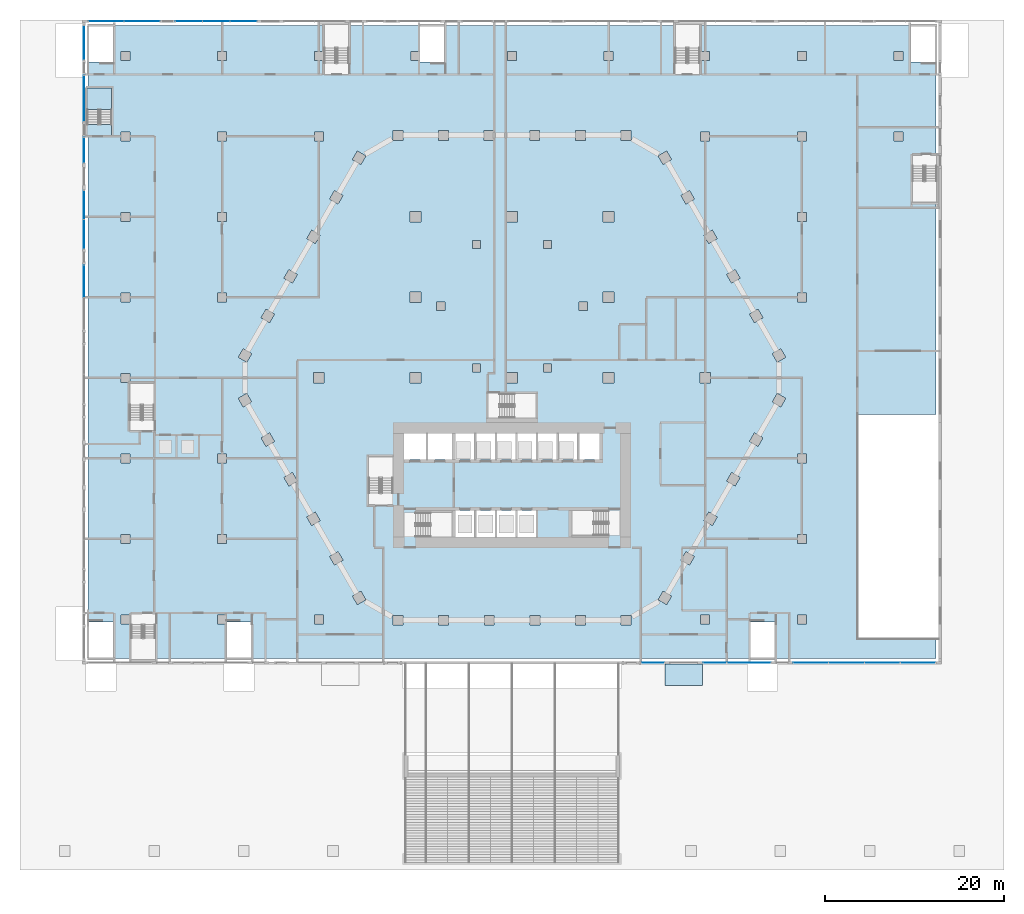
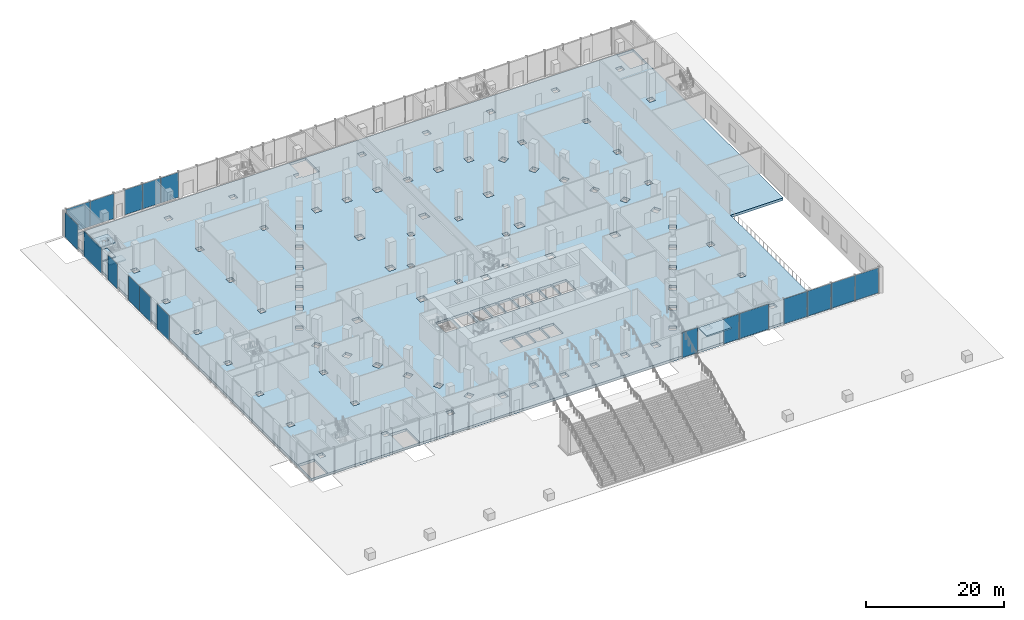
# One storey, part 18 of 57: 19 plates, 4 slabs, 12 elements without a shape of their own.
"""IFC4 building model written with IfcOpenShell, lengths in metres."""

from ifc_helpers import new_model, si_unit, direction, frame, origin, origin_2d, place, context, subcontext, project, spatial, polyline, rectangle, outline, extrude, material, layer, layer_set, type_object, element, aggregate, save


model = new_model("IFC4")

# Units and contexts
model_context = context("Model", 3, precision=1e-05, world=origin(), true_north=direction((0.0, 1.0)))
body_context = subcontext(model_context, "Body", "Model", "MODEL_VIEW")
ifc_project = project(units=[si_unit("LENGTHUNIT", "METRE"), si_unit("AREAUNIT", "SQUARE_METRE"), si_unit("VOLUMEUNIT", "CUBIC_METRE"), si_unit("PLANEANGLEUNIT", "RADIAN"), si_unit("MASSUNIT", "GRAM", prefix="KILO")], contexts=[model_context])

# Site, building, storey
site_placement = place(None, origin())
site = spatial("IfcSite", under=ifc_project, at=site_placement, CompositionType="ELEMENT")
building_placement = place(site_placement, origin())
building = spatial("IfcBuilding", under=site, at=building_placement, Name="Beryl Residences", CompositionType="ELEMENT")
storey_placement = place(building_placement, origin())
storey = spatial("IfcBuildingStorey", under=building, at=storey_placement, Name="L00", CompositionType="ELEMENT", Elevation=0.0)

# Plate
ifc_material_1 = material(Name="Aluminium composite and steel S355", Category="steel")
ifc_layer_1 = layer(ifc_material_1, 0.25)
ifc_layer_set_1 = layer_set([ifc_layer_1], Name="CP1 entrance canopy 250 mm")
plate_type_1 = type_object("IfcPlateType", Name="CP1 entrance canopy 250 mm", PredefinedType="SHEET", material=ifc_layer_set_1)
plate_1_placement = place(storey_placement, frame((19.199951171875, -33.199951171875, 4.300048828125), z_axis=(0.0, 0.0, 1.0), x_axis=(0.0, -1.0, 0.0)))
element("IfcPlate", 1, at=plate_1_placement, inside=storey, type_object=plate_type_1, Name="CP1 entrance canopy L00 S", PredefinedType="SHEET", context=body_context, shape_type="SweptSolid", body=[
    extrude(rectangle(XDim=2.39990234375, YDim=4.199951171875, at=origin_2d()), origin(), (0.0, 0.0, 1.0), 0.25),
])

# Curtain wall, plate
ifc_material_2 = material(Name="Aluminium and clear glass", Category="aluminium")
curtain_wall_type_1 = type_object("IfcCurtainWallType", Name="CW1 shopfront glazed wall", PredefinedType="NOTDEFINED", material=ifc_material_2)
curtain_wall_1_placement = place(storey_placement, origin())
curtain_wall_1 = element("IfcCurtainWall", 2, at=curtain_wall_1_placement, inside=storey, type_object=curtain_wall_type_1, Name="CW1 L00 S", PredefinedType="NOTDEFINED")
ifc_material_3 = material(Name="Clear laminated glass", Category="glass")
ifc_layer_2 = layer(ifc_material_3, 0.028076171875)
ifc_layer_set_2 = layer_set([ifc_layer_2], Name="CW1-P glazing panel 28 mm")
plate_type_2 = type_object("IfcPlateType", Name="CW1-P glazing panel 28 mm", PredefinedType="CURTAIN_PANEL", material=ifc_layer_set_2)
plate_2_placement = place(storey_placement, frame((26.5, -31.85009765625, 0.06005859375), z_axis=(0.0, 0.0, 1.0), x_axis=(1.0, 0.0, 0.0)))
plate_2 = element("IfcPlate", 3, at=plate_2_placement, type_object=plate_type_2, Name="CW1 panel 1.1", PredefinedType="CURTAIN_PANEL", context=body_context, shape_type="SweptSolid", body=[
    extrude(rectangle(XDim=4.8798828125, YDim=0.028076171875, at=origin_2d()), origin(), (0.0, 0.0, 1.0), 4.429931640625),
])
aggregate(curtain_wall_1, [plate_2])

# Curtain wall, plates
curtain_wall_2_placement = place(storey_placement, origin())
curtain_wall_2 = element("IfcCurtainWall", 4, at=curtain_wall_2_placement, inside=storey, type_object=curtain_wall_type_1, Name="CW1 L00 S", PredefinedType="NOTDEFINED")
plate_3_placement = place(storey_placement, frame((33.4150390625, -31.85009765625, 0.06005859375), z_axis=(0.0, 0.0, 1.0), x_axis=(1.0, 0.0, 0.0)))
plate_3 = element("IfcPlate", 5, at=plate_3_placement, type_object=plate_type_2, Name="CW1 panel 1.1", PredefinedType="CURTAIN_PANEL", context=body_context, shape_type="SweptSolid", body=[
    extrude(rectangle(XDim=3.909912109375, YDim=0.028076171875, at=origin_2d()), origin(), (0.0, 0.0, 1.0), 4.429931640625),
])
plate_4_placement = place(storey_placement, frame((37.39990234375, -31.85009765625, 0.06005859375), z_axis=(0.0, 0.0, 1.0), x_axis=(1.0, 0.0, 0.0)))
plate_4 = element("IfcPlate", 6, at=plate_4_placement, type_object=plate_type_2, Name="CW1 panel 2.1", PredefinedType="CURTAIN_PANEL", context=body_context, shape_type="SweptSolid", body=[
    extrude(rectangle(XDim=3.93994140625, YDim=0.028076171875, at=origin_2d()), origin(), (0.0, 0.0, 1.0), 4.429931640625),
])
plate_5_placement = place(storey_placement, frame((41.39990234375, -31.85009765625, 0.06005859375), z_axis=(0.0, 0.0, 1.0), x_axis=(1.0, 0.0, 0.0)))
plate_5 = element("IfcPlate", 7, at=plate_5_placement, type_object=plate_type_2, Name="CW1 panel 3.1", PredefinedType="CURTAIN_PANEL", context=body_context, shape_type="SweptSolid", body=[
    extrude(rectangle(XDim=3.93994140625, YDim=0.028076171875, at=origin_2d()), origin(), (0.0, 0.0, 1.0), 4.429931640625),
])
plate_6_placement = place(storey_placement, frame((45.385009765625, -31.85009765625, 0.06005859375), z_axis=(0.0, 0.0, 1.0), x_axis=(1.0, 0.0, 0.0)))
plate_6 = element("IfcPlate", 8, at=plate_6_placement, type_object=plate_type_2, Name="CW1 panel 4.1", PredefinedType="CURTAIN_PANEL", context=body_context, shape_type="SweptSolid", body=[
    extrude(rectangle(XDim=3.909912109375, YDim=0.028076171875, at=origin_2d()), origin(), (0.0, 0.0, 1.0), 4.429931640625),
])
aggregate(curtain_wall_2, [plate_3, plate_4, plate_5, plate_6])

curtain_wall_3_placement = place(storey_placement, origin())
curtain_wall_3 = element("IfcCurtainWall", 9, at=curtain_wall_3_placement, inside=storey, type_object=curtain_wall_type_1, Name="CW1 L00 N", PredefinedType="NOTDEFINED")
plate_7_placement = place(storey_placement, frame((-30.035888671875, 39.85009765625, 0.06005859375), z_axis=(0.0, 0.0, 1.0), x_axis=(-1.0, 0.0, 0.0)))
plate_7 = element("IfcPlate", 10, at=plate_7_placement, type_object=plate_type_2, Name="CW1 panel 1.1", PredefinedType="CURTAIN_PANEL", context=body_context, shape_type="SweptSolid", body=[
    extrude(rectangle(XDim=2.95166015625, YDim=0.028076171875, at=origin_2d()), origin(), (0.0, 0.0, 1.0), 4.429931640625),
])
plate_8_placement = place(storey_placement, frame((-33.0625, 39.85009765625, 0.06005859375), z_axis=(0.0, 0.0, 1.0), x_axis=(-1.0, 0.0, 0.0)))
plate_8 = element("IfcPlate", 11, at=plate_8_placement, type_object=plate_type_2, Name="CW1 panel 2.1", PredefinedType="CURTAIN_PANEL", context=body_context, shape_type="SweptSolid", body=[
    extrude(rectangle(XDim=2.981689453125, YDim=0.028076171875, at=origin_2d()), origin(), (0.0, 0.0, 1.0), 4.429931640625),
])
plate_9_placement = place(storey_placement, frame((-36.089111328125, 39.85009765625, 0.06005859375), z_axis=(0.0, 0.0, 1.0), x_axis=(-1.0, 0.0, 0.0)))
plate_9 = element("IfcPlate", 12, at=plate_9_placement, type_object=plate_type_2, Name="CW1 panel 3.1", PredefinedType="CURTAIN_PANEL", context=body_context, shape_type="SweptSolid", body=[
    extrude(rectangle(XDim=2.95166015625, YDim=0.028076171875, at=origin_2d()), origin(), (0.0, 0.0, 1.0), 4.429931640625),
])
aggregate(curtain_wall_3, [plate_7, plate_8, plate_9])

curtain_wall_4_placement = place(storey_placement, origin())
curtain_wall_4 = element("IfcCurtainWall", 13, at=curtain_wall_4_placement, inside=storey, type_object=curtain_wall_type_1, Name="CW1 L00 N", PredefinedType="NOTDEFINED")
plate_10_placement = place(storey_placement, frame((-41.358642578125, 39.85009765625, 0.06005859375), z_axis=(0.0, 0.0, 1.0), x_axis=(-1.0, 0.0, 0.0)))
plate_10 = element("IfcPlate", 14, at=plate_10_placement, type_object=plate_type_2, Name="CW1 panel 1.1", PredefinedType="CURTAIN_PANEL", context=body_context, shape_type="SweptSolid", body=[
    extrude(rectangle(XDim=3.947509765625, YDim=0.028076171875, at=origin_2d()), origin(), (0.0, 0.0, 1.0), 4.429931640625),
])
plate_11_placement = place(storey_placement, frame((-45.3662109375, 39.85009765625, 0.06005859375), z_axis=(0.0, 0.0, 1.0), x_axis=(-1.0, 0.0, 0.0)))
plate_11 = element("IfcPlate", 15, at=plate_11_placement, type_object=plate_type_2, Name="CW1 panel 2.1", PredefinedType="CURTAIN_PANEL", context=body_context, shape_type="SweptSolid", body=[
    extrude(rectangle(XDim=3.947509765625, YDim=0.028076171875, at=origin_2d()), origin(), (0.0, 0.0, 1.0), 4.429931640625),
])
aggregate(curtain_wall_4, [plate_10, plate_11])

# Curtain wall, plate
curtain_wall_5_placement = place(storey_placement, origin())
curtain_wall_5 = element("IfcCurtainWall", 16, at=curtain_wall_5_placement, inside=storey, type_object=curtain_wall_type_1, Name="CW1 L00 W", PredefinedType="NOTDEFINED")
plate_12_placement = place(storey_placement, frame((-47.85009765625, 37.449951171875, 0.06005859375), z_axis=(0.0, 0.0, 1.0), x_axis=(0.0, -1.0, 0.0)))
plate_12 = element("IfcPlate", 17, at=plate_12_placement, type_object=plate_type_2, Name="CW1 panel 1.1", PredefinedType="CURTAIN_PANEL", context=body_context, shape_type="SweptSolid", body=[
    extrude(rectangle(XDim=3.780029296875, YDim=0.028076171875, at=origin_2d()), origin(), (0.0, 0.0, 1.0), 4.429931640625),
])
aggregate(curtain_wall_5, [plate_12])

curtain_wall_6_placement = place(storey_placement, origin())
curtain_wall_6 = element("IfcCurtainWall", 18, at=curtain_wall_6_placement, inside=storey, type_object=curtain_wall_type_1, Name="CW1 L00 W", PredefinedType="NOTDEFINED")
plate_13_placement = place(storey_placement, frame((-47.85009765625, 31.199951171875, 0.06005859375), z_axis=(0.0, 0.0, 1.0), x_axis=(0.0, -1.0, 0.0)))
plate_13 = element("IfcPlate", 19, at=plate_13_placement, type_object=plate_type_2, Name="CW1 panel 1.1", PredefinedType="CURTAIN_PANEL", context=body_context, shape_type="SweptSolid", body=[
    extrude(rectangle(XDim=5.080078125, YDim=0.028076171875, at=origin_2d()), origin(), (0.0, 0.0, 1.0), 4.429931640625),
])
aggregate(curtain_wall_6, [plate_13])

curtain_wall_7_placement = place(storey_placement, origin())
curtain_wall_7 = element("IfcCurtainWall", 20, at=curtain_wall_7_placement, inside=storey, type_object=curtain_wall_type_1, Name="CW1 L00 W", PredefinedType="NOTDEFINED")
plate_14_placement = place(storey_placement, frame((-47.85009765625, 25.449951171875, 0.06005859375), z_axis=(0.0, 0.0, 1.0), x_axis=(0.0, -1.0, 0.0)))
plate_14 = element("IfcPlate", 21, at=plate_14_placement, type_object=plate_type_2, Name="CW1 panel 1.1", PredefinedType="CURTAIN_PANEL", context=body_context, shape_type="SweptSolid", body=[
    extrude(rectangle(XDim=2.780029296875, YDim=0.028076171875, at=origin_2d()), origin(), (0.0, 0.0, 1.0), 4.429931640625),
])
aggregate(curtain_wall_7, [plate_14])

# Curtain wall, plates
curtain_wall_8_placement = place(storey_placement, origin())
curtain_wall_8 = element("IfcCurtainWall", 22, at=curtain_wall_8_placement, inside=storey, type_object=curtain_wall_type_1, Name="CW1 L00 W", PredefinedType="NOTDEFINED")
plate_15_placement = place(storey_placement, frame((-47.85009765625, 19.322509765625, 0.06005859375), z_axis=(0.0, 0.0, 1.0), x_axis=(0.0, -1.0, 0.0)))
plate_15 = element("IfcPlate", 23, at=plate_15_placement, type_object=plate_type_2, Name="CW1 panel 1.1", PredefinedType="CURTAIN_PANEL", context=body_context, shape_type="SweptSolid", body=[
    extrude(rectangle(XDim=3.235107421875, YDim=0.028076171875, at=origin_2d()), origin(), (0.0, 0.0, 1.0), 4.429931640625),
])
plate_16_placement = place(storey_placement, frame((-47.85009765625, 16.027587890625, 0.06005859375), z_axis=(0.0, 0.0, 1.0), x_axis=(0.0, -1.0, 0.0)))
plate_16 = element("IfcPlate", 24, at=plate_16_placement, type_object=plate_type_2, Name="CW1 panel 2.1", PredefinedType="CURTAIN_PANEL", context=body_context, shape_type="SweptSolid", body=[
    extrude(rectangle(XDim=3.235107421875, YDim=0.028076171875, at=origin_2d()), origin(), (0.0, 0.0, 1.0), 4.429931640625),
])
aggregate(curtain_wall_8, [plate_15, plate_16])

# Curtain wall, plate
curtain_wall_9_placement = place(storey_placement, origin())
curtain_wall_9 = element("IfcCurtainWall", 25, at=curtain_wall_9_placement, inside=storey, type_object=curtain_wall_type_1, Name="CW1 L00 W", PredefinedType="NOTDEFINED")
plate_17_placement = place(storey_placement, frame((-47.85009765625, 10.81005859375, 0.06005859375), z_axis=(0.0, 0.0, 1.0), x_axis=(0.0, -1.0, 0.0)))
plate_17 = element("IfcPlate", 26, at=plate_17_placement, type_object=plate_type_2, Name="CW1 panel 1.1", PredefinedType="CURTAIN_PANEL", context=body_context, shape_type="SweptSolid", body=[
    extrude(rectangle(XDim=3.56005859375, YDim=0.028076171875, at=origin_2d()), origin(), (0.0, 0.0, 1.0), 4.429931640625),
])
aggregate(curtain_wall_9, [plate_17])

ifc_material_4 = material(Name="Aluminium and clear glass", Category="aluminium")
curtain_wall_type_2 = type_object("IfcCurtainWallType", Name="CW5 lobby and retail return glazing glazed wall", PredefinedType="NOTDEFINED", material=ifc_material_4)
curtain_wall_10_placement = place(storey_placement, origin())
curtain_wall_10 = element("IfcCurtainWall", 27, at=curtain_wall_10_placement, inside=storey, type_object=curtain_wall_type_2, Name="CW5 L00 S", PredefinedType="NOTDEFINED")
ifc_material_5 = material(Name="Clear laminated glass", Category="glass")
ifc_layer_3 = layer(ifc_material_5, 0.028076171875)
ifc_layer_set_3 = layer_set([ifc_layer_3], Name="CW5-P glazing panel 28 mm")
plate_type_3 = type_object("IfcPlateType", Name="CW5-P glazing panel 28 mm", PredefinedType="CURTAIN_PANEL", material=ifc_layer_set_3)
plate_18_placement = place(storey_placement, frame((15.75, -31.85009765625, 0.06005859375), z_axis=(0.0, 0.0, 1.0), x_axis=(1.0, 0.0, 0.0)))
plate_18 = element("IfcPlate", 28, at=plate_18_placement, type_object=plate_type_3, Name="CW5 panel 1.1", PredefinedType="CURTAIN_PANEL", context=body_context, shape_type="SweptSolid", body=[
    extrude(rectangle(XDim=2.580078125, YDim=0.028076171875, at=origin_2d()), origin(), (0.0, 0.0, 1.0), 4.429931640625),
])
aggregate(curtain_wall_10, [plate_18])

curtain_wall_11_placement = place(storey_placement, origin())
curtain_wall_11 = element("IfcCurtainWall", 29, at=curtain_wall_11_placement, inside=storey, type_object=curtain_wall_type_2, Name="CW5 L00 S", PredefinedType="NOTDEFINED")
plate_19_placement = place(storey_placement, frame((22.64990234375, -31.85009765625, 0.06005859375), z_axis=(0.0, 0.0, 1.0), x_axis=(1.0, 0.0, 0.0)))
plate_19 = element("IfcPlate", 30, at=plate_19_placement, type_object=plate_type_3, Name="CW5 panel 1.1", PredefinedType="CURTAIN_PANEL", context=body_context, shape_type="SweptSolid", body=[
    extrude(rectangle(XDim=2.580078125, YDim=0.028076171875, at=origin_2d()), origin(), (0.0, 0.0, 1.0), 4.429931640625),
])
aggregate(curtain_wall_11, [plate_19])

# Slab
ifc_material_6 = material(Name="Concrete C40/50", Category="concrete")
ifc_layer_4 = layer(ifc_material_6, 0.449951171875)
ifc_layer_set_4 = layer_set([ifc_layer_4], Name="SL2 podium floor slab 450 mm C40/50")
slab_type_1 = type_object("IfcSlabType", Name="SL2 podium floor slab 450 mm C40/50", PredefinedType="FLOOR", material=ifc_layer_set_4)
slab_1_placement = place(storey_placement, frame((0.0, 0.0, -0.449951171875)))
element("IfcSlab", 31, at=slab_1_placement, inside=storey, type_object=slab_type_1, Name="L00 slab 1", PredefinedType="FLOOR", context=body_context, shape_type="SweptSolid", body=[
    extrude(outline(polyline([(47.39990234375, 39.39990234375), (47.39990234375, -4.10009765625), (38.60009765625, -4.10009765625), (38.60009765625, -29.199951171875), (47.39990234375, -29.199951171875), (47.39990234375, -31.39990234375), (-47.39990234375, -31.39990234375), (-47.39990234375, 39.39990234375), (47.39990234375, 39.39990234375)]), holes=[polyline([(44.550048828125, 39.300048828125), (44.550048828125, 35.300048828125), (47.300048828125, 35.300048828125), (47.300048828125, 39.300048828125), (44.550048828125, 39.300048828125)]), polyline([(43.699951171875, 27.5), (42.699951171875, 27.5), (42.699951171875, 26.5), (43.699951171875, 26.5), (43.699951171875, 27.5)]), polyline([(42.699951171875, 36.5), (42.699951171875, 35.5), (43.699951171875, 35.5), (43.699951171875, 36.5), (42.699951171875, 36.5)]), polyline([(32.89990234375, 36.5), (31.89990234375, 36.5), (31.89990234375, 35.5), (32.89990234375, 35.5), (32.89990234375, 36.5)]), polyline([(32.89990234375, 9.5), (31.89990234375, 9.5), (31.89990234375, 8.5), (32.89990234375, 8.5), (32.89990234375, 9.5)]), polyline([(32.89990234375, -8.5), (31.89990234375, -8.5), (31.89990234375, -9.5), (32.89990234375, -9.5), (32.89990234375, -8.5)]), polyline([(32.89990234375, -26.5), (31.89990234375, -26.5), (31.89990234375, -27.5), (32.89990234375, -27.5), (32.89990234375, -26.5)]), polyline([(31.89990234375, 26.5), (32.89990234375, 26.5), (32.89990234375, 27.5), (31.89990234375, 27.5), (31.89990234375, 26.5)]), polyline([(31.89990234375, 18.5), (31.89990234375, 17.5), (32.89990234375, 17.5), (32.89990234375, 18.5), (31.89990234375, 18.5)]), polyline([(31.89990234375, -17.5), (31.89990234375, -18.5), (32.89990234375, -18.5), (32.89990234375, -17.5), (31.89990234375, -17.5)]), polyline([(29.097900390625, -2.699951171875), (30.050048828125, -3.25), (30.60009765625, -2.298095703125), (29.64794921875, -1.748046875), (29.097900390625, -2.699951171875)]), polyline([(29.096923828125, 2.700927734375), (29.64697265625, 1.7490234375), (30.59912109375, 2.299072265625), (30.049072265625, 3.2509765625), (29.096923828125, 2.700927734375)]), polyline([(26.64990234375, -27.300048828125), (26.64990234375, -31.300048828125), (29.39990234375, -31.300048828125), (29.39990234375, -27.300048828125), (26.64990234375, -27.300048828125)]), polyline([(27.096923828125, -6.16796875), (26.547119140625, -7.1201171875), (27.4990234375, -7.669921875), (28.049072265625, -6.718017578125), (27.096923828125, -6.16796875)]), polyline([(28.048095703125, 6.719970703125), (27.498046875, 7.672119140625), (26.5458984375, 7.1220703125), (27.095947265625, 6.169921875), (28.048095703125, 6.719970703125)]), polyline([(23.9951171875, -11.5400390625), (24.947021484375, -12.090087890625), (25.4970703125, -11.137939453125), (24.544921875, -10.587890625), (23.9951171875, -11.5400390625)]), polyline([(23.993896484375, 11.5419921875), (24.5439453125, 10.590087890625), (25.49609375, 11.139892578125), (24.946044921875, 12.092041015625), (23.993896484375, 11.5419921875)]), polyline([(22.39501953125, -16.510009765625), (22.945068359375, -15.55810546875), (21.992919921875, -15.008056640625), (21.443115234375, -15.9599609375), (22.39501953125, -16.510009765625)]), polyline([(22.944091796875, 15.56005859375), (22.39404296875, 16.511962890625), (21.44189453125, 15.9619140625), (21.991943359375, 15.010009765625), (22.944091796875, 15.56005859375)]), polyline([(22.199951171875, 0.60009765625), (21.0, 0.60009765625), (21.0, -0.60009765625), (22.199951171875, -0.60009765625), (22.199951171875, 0.60009765625)]), polyline([(22.10009765625, 36.5), (21.10009765625, 36.5), (21.10009765625, 35.5), (22.10009765625, 35.5), (22.10009765625, 36.5)]), polyline([(22.10009765625, 27.5), (21.10009765625, 27.5), (21.10009765625, 26.5), (22.10009765625, 26.5), (22.10009765625, 27.5)]), polyline([(21.10009765625, -26.5), (21.10009765625, -27.5), (22.10009765625, -27.5), (22.10009765625, -26.5), (21.10009765625, -26.5)]), polyline([(19.44091796875, -19.428955078125), (18.89111328125, -20.381103515625), (19.843017578125, -20.930908203125), (20.39306640625, -19.97900390625), (19.44091796875, -19.428955078125)]), polyline([(19.43994140625, 19.429931640625), (20.39208984375, 19.97998046875), (19.842041015625, 20.931884765625), (18.889892578125, 20.382080078125), (19.43994140625, 19.429931640625)]), polyline([(16.339111328125, -24.801025390625), (17.291015625, -25.35107421875), (17.841064453125, -24.39892578125), (16.888916015625, -23.84912109375), (16.339111328125, -24.801025390625)]), polyline([(16.887939453125, 23.85009765625), (17.840087890625, 24.39990234375), (17.2900390625, 25.35205078125), (16.337890625, 24.802001953125), (16.887939453125, 23.85009765625)]), polyline([(13.31103515625, -26.550048828125), (12.2109375, -26.550048828125), (12.2109375, -27.64990234375), (13.31103515625, -27.64990234375), (13.31103515625, -26.550048828125)]), polyline([(12.208984375, 26.550048828125), (13.30908203125, 26.550048828125), (13.30908203125, 27.64990234375), (12.208984375, 27.64990234375), (12.208984375, 26.550048828125)]), polyline([(10.199951171875, 18.60009765625), (10.199951171875, 17.39990234375), (11.39990234375, 17.39990234375), (11.39990234375, 18.60009765625), (10.199951171875, 18.60009765625)]), polyline([(10.199951171875, 9.60009765625), (10.199951171875, 8.39990234375), (11.39990234375, 8.39990234375), (11.39990234375, 9.60009765625), (10.199951171875, 9.60009765625)]), polyline([(10.199951171875, 0.60009765625), (10.199951171875, -0.60009765625), (11.39990234375, -0.60009765625), (11.39990234375, 0.60009765625), (10.199951171875, 0.60009765625)]), polyline([(11.300048828125, 36.5), (10.300048828125, 36.5), (10.300048828125, 35.5), (11.300048828125, 35.5), (11.300048828125, 36.5)]), polyline([(9.800048828125, -9.14990234375), (9.800048828125, -6.199951171875), (7.5, -6.199951171875), (7.5, -9.14990234375), (9.800048828125, -9.14990234375)]), polyline([(8.4169921875, 8.449951171875), (7.51708984375, 8.449951171875), (7.51708984375, 7.550048828125), (8.4169921875, 7.550048828125), (8.4169921875, 8.449951171875)]), polyline([(7.10693359375, -26.550048828125), (7.10693359375, -27.64990234375), (8.20703125, -27.64990234375), (8.20703125, -26.550048828125), (7.10693359375, -26.550048828125)]), polyline([(8.205078125, 26.550048828125), (8.205078125, 27.64990234375), (7.10498046875, 27.64990234375), (7.10498046875, 26.550048828125), (8.205078125, 26.550048828125)]), polyline([(7.300048828125, -6.199951171875), (5.199951171875, -6.199951171875), (5.199951171875, -9.14990234375), (7.300048828125, -9.14990234375), (7.300048828125, -6.199951171875)]), polyline([(5.0, -6.199951171875), (2.89990234375, -6.199951171875), (2.89990234375, -9.14990234375), (5.0, -9.14990234375), (5.0, -6.199951171875)]), polyline([(3.533935546875, 15.35009765625), (3.533935546875, 14.449951171875), (4.43408203125, 14.449951171875), (4.43408203125, 15.35009765625), (3.533935546875, 15.35009765625)]), polyline([(3.533935546875, 1.550048828125), (3.533935546875, 0.64990234375), (4.43408203125, 0.64990234375), (4.43408203125, 1.550048828125), (3.533935546875, 1.550048828125)]), polyline([(3.10302734375, -26.550048828125), (2.0029296875, -26.550048828125), (2.0029296875, -27.64990234375), (3.10302734375, -27.64990234375), (3.10302734375, -26.550048828125)]), polyline([(2.0009765625, 26.550048828125), (3.10107421875, 26.550048828125), (3.10107421875, 27.64990234375), (2.0009765625, 27.64990234375), (2.0009765625, 26.550048828125)]), polyline([(2.699951171875, -6.199951171875), (0.60009765625, -6.199951171875), (0.60009765625, -9.14990234375), (2.699951171875, -9.14990234375), (2.699951171875, -6.199951171875)]), polyline([(2.699951171875, -17.800048828125), (2.699951171875, -14.85009765625), (0.60009765625, -14.85009765625), (0.60009765625, -17.800048828125), (2.699951171875, -17.800048828125)]), polyline([(0.60009765625, 18.60009765625), (-0.60009765625, 18.60009765625), (-0.60009765625, 17.39990234375), (0.60009765625, 17.39990234375), (0.60009765625, 18.60009765625)]), polyline([(0.60009765625, 0.60009765625), (-0.60009765625, 0.60009765625), (-0.60009765625, -0.60009765625), (0.60009765625, -0.60009765625), (0.60009765625, 0.60009765625)]), polyline([(0.5, 36.5), (-0.5, 36.5), (-0.5, 35.5), (0.5, 35.5), (0.5, 36.5)]), polyline([(0.39990234375, -14.85009765625), (-1.699951171875, -14.85009765625), (-1.699951171875, -17.800048828125), (0.39990234375, -17.800048828125), (0.39990234375, -14.85009765625)]), polyline([(-1.699951171875, -6.199951171875), (-1.699951171875, -9.14990234375), (0.39990234375, -9.14990234375), (0.39990234375, -6.199951171875), (-1.699951171875, -6.199951171875)]), polyline([(-1.89990234375, -9.14990234375), (-1.89990234375, -6.199951171875), (-4.0, -6.199951171875), (-4.0, -9.14990234375), (-1.89990234375, -9.14990234375)]), polyline([(-1.89990234375, -14.85009765625), (-4.0, -14.85009765625), (-4.0, -17.800048828125), (-1.89990234375, -17.800048828125), (-1.89990234375, -14.85009765625)]), polyline([(-3.10107421875, -27.64990234375), (-2.0009765625, -27.64990234375), (-2.0009765625, -26.550048828125), (-3.10107421875, -26.550048828125), (-3.10107421875, -27.64990234375)]), polyline([(-3.10302734375, 26.550048828125), (-2.0029296875, 26.550048828125), (-2.0029296875, 27.64990234375), (-3.10302734375, 27.64990234375), (-3.10302734375, 26.550048828125)]), polyline([(-4.43408203125, 14.449951171875), (-3.533935546875, 14.449951171875), (-3.533935546875, 15.35009765625), (-4.43408203125, 15.35009765625), (-4.43408203125, 14.449951171875)]), polyline([(-4.43408203125, 0.64990234375), (-3.533935546875, 0.64990234375), (-3.533935546875, 1.550048828125), (-4.43408203125, 1.550048828125), (-4.43408203125, 0.64990234375)]), polyline([(-4.199951171875, -6.199951171875), (-6.300048828125, -6.199951171875), (-6.300048828125, -9.14990234375), (-4.199951171875, -9.14990234375), (-4.199951171875, -6.199951171875)]), polyline([(-6.300048828125, -17.800048828125), (-4.199951171875, -17.800048828125), (-4.199951171875, -14.85009765625), (-6.300048828125, -14.85009765625), (-6.300048828125, -17.800048828125)]), polyline([(-9.39990234375, -6.199951171875), (-9.39990234375, -9.14990234375), (-6.699951171875, -9.14990234375), (-6.699951171875, -6.199951171875), (-9.39990234375, -6.199951171875)]), polyline([(-8.205078125, -27.64990234375), (-7.10498046875, -27.64990234375), (-7.10498046875, -26.550048828125), (-8.205078125, -26.550048828125), (-8.205078125, -27.64990234375)]), polyline([(-7.10693359375, 26.550048828125), (-7.10693359375, 27.64990234375), (-8.20703125, 27.64990234375), (-8.20703125, 26.550048828125), (-7.10693359375, 26.550048828125)]), polyline([(-7.51708984375, 8.449951171875), (-8.4169921875, 8.449951171875), (-8.4169921875, 7.550048828125), (-7.51708984375, 7.550048828125), (-7.51708984375, 8.449951171875)]), polyline([(-7.550048828125, 35.300048828125), (-7.550048828125, 39.300048828125), (-10.300048828125, 39.300048828125), (-10.300048828125, 36.5), (-11.300048828125, 36.5), (-11.300048828125, 35.5), (-10.300048828125, 35.5), (-10.300048828125, 35.300048828125), (-7.550048828125, 35.300048828125)]), polyline([(-9.60009765625, -6.199951171875), (-12.10009765625, -6.199951171875), (-12.10009765625, -9.14990234375), (-9.60009765625, -9.14990234375), (-9.60009765625, -6.199951171875)]), polyline([(-10.199951171875, 0.60009765625), (-11.39990234375, 0.60009765625), (-11.39990234375, -0.60009765625), (-10.199951171875, -0.60009765625), (-10.199951171875, 0.60009765625)]), polyline([(-11.39990234375, 9.60009765625), (-11.39990234375, 8.39990234375), (-10.199951171875, 8.39990234375), (-10.199951171875, 9.60009765625), (-11.39990234375, 9.60009765625)]), polyline([(-11.39990234375, 18.60009765625), (-11.39990234375, 17.39990234375), (-10.199951171875, 17.39990234375), (-10.199951171875, 18.60009765625), (-11.39990234375, 18.60009765625)]), polyline([(-13.30908203125, -26.550048828125), (-13.30908203125, -27.64990234375), (-12.208984375, -27.64990234375), (-12.208984375, -26.550048828125), (-13.30908203125, -26.550048828125)]), polyline([(-12.2109375, 26.550048828125), (-12.2109375, 27.64990234375), (-13.31103515625, 27.64990234375), (-13.31103515625, 26.550048828125), (-12.2109375, 26.550048828125)]), polyline([(-16.887939453125, -23.85009765625), (-17.840087890625, -24.39990234375), (-17.2900390625, -25.35205078125), (-16.337890625, -24.802001953125), (-16.887939453125, -23.85009765625)]), polyline([(-17.291015625, 25.35107421875), (-17.841064453125, 24.39892578125), (-16.888916015625, 23.84912109375), (-16.339111328125, 24.801025390625), (-17.291015625, 25.35107421875)]), polyline([(-18.889892578125, -20.382080078125), (-19.43994140625, -19.429931640625), (-20.39208984375, -19.97998046875), (-19.842041015625, -20.931884765625), (-18.889892578125, -20.382080078125)]), polyline([(-18.89111328125, 20.381103515625), (-19.843017578125, 20.930908203125), (-20.39306640625, 19.97900390625), (-19.44091796875, 19.428955078125), (-18.89111328125, 20.381103515625)]), polyline([(-21.0, 0.60009765625), (-22.199951171875, 0.60009765625), (-22.199951171875, -0.60009765625), (-21.0, -0.60009765625), (-21.0, 0.60009765625)]), polyline([(-21.10009765625, 27.5), (-22.10009765625, 27.5), (-22.10009765625, 26.5), (-21.10009765625, 26.5), (-21.10009765625, 27.5)]), polyline([(-22.10009765625, 36.5), (-22.10009765625, 35.5), (-21.10009765625, 35.5), (-21.10009765625, 36.5), (-22.10009765625, 36.5)]), polyline([(-22.10009765625, -26.5), (-22.10009765625, -27.5), (-21.10009765625, -27.5), (-21.10009765625, -26.5), (-22.10009765625, -26.5)]), polyline([(-22.944091796875, -15.56005859375), (-22.39404296875, -16.511962890625), (-21.44189453125, -15.9619140625), (-21.991943359375, -15.010009765625), (-22.944091796875, -15.56005859375)]), polyline([(-21.992919921875, 15.008056640625), (-21.443115234375, 15.9599609375), (-22.39501953125, 16.510009765625), (-22.945068359375, 15.55810546875), (-21.992919921875, 15.008056640625)]), polyline([(-24.5439453125, -10.590087890625), (-25.49609375, -11.139892578125), (-24.946044921875, -12.092041015625), (-23.993896484375, -11.5419921875), (-24.5439453125, -10.590087890625)]), polyline([(-23.9951171875, 11.5400390625), (-24.947021484375, 12.090087890625), (-25.4970703125, 11.137939453125), (-24.544921875, 10.587890625), (-23.9951171875, 11.5400390625)]), polyline([(-27.095947265625, -6.169921875), (-28.048095703125, -6.719970703125), (-27.498046875, -7.672119140625), (-26.5458984375, -7.1220703125), (-27.095947265625, -6.169921875)]), polyline([(-26.547119140625, 7.1201171875), (-27.4990234375, 7.669921875), (-28.049072265625, 6.718017578125), (-27.096923828125, 6.16796875), (-26.547119140625, 7.1201171875)]), polyline([(-29.64697265625, -1.7490234375), (-30.59912109375, -2.299072265625), (-30.049072265625, -3.2509765625), (-29.096923828125, -2.700927734375), (-29.64697265625, -1.7490234375)]), polyline([(-29.097900390625, 2.699951171875), (-30.050048828125, 3.25), (-30.60009765625, 2.298095703125), (-29.64794921875, 1.748046875), (-29.097900390625, 2.699951171875)]), polyline([(-31.89990234375, -27.300048828125), (-31.89990234375, -26.5), (-32.89990234375, -26.5), (-32.89990234375, -27.5), (-31.89990234375, -27.5), (-31.89990234375, -31.300048828125), (-29.14990234375, -31.300048828125), (-29.14990234375, -27.300048828125), (-31.89990234375, -27.300048828125)]), polyline([(-32.89990234375, 27.5), (-32.89990234375, 26.5), (-31.89990234375, 26.5), (-31.89990234375, 27.5), (-32.89990234375, 27.5)]), polyline([(-32.89990234375, -17.5), (-32.89990234375, -18.5), (-31.89990234375, -18.5), (-31.89990234375, -17.5), (-32.89990234375, -17.5)]), polyline([(-32.89990234375, 18.5), (-32.89990234375, 17.5), (-31.89990234375, 17.5), (-31.89990234375, 18.5), (-32.89990234375, 18.5)]), polyline([(-32.89990234375, 36.5), (-32.89990234375, 35.5), (-31.89990234375, 35.5), (-31.89990234375, 36.5), (-32.89990234375, 36.5)]), polyline([(-31.89990234375, -8.5), (-32.89990234375, -8.5), (-32.89990234375, -9.5), (-31.89990234375, -9.5), (-31.89990234375, -8.5)]), polyline([(-31.89990234375, 9.5), (-32.89990234375, 9.5), (-32.89990234375, 8.5), (-31.89990234375, 8.5), (-31.89990234375, 9.5)]), polyline([(-42.699951171875, 27.5), (-43.699951171875, 27.5), (-43.699951171875, 26.5), (-42.699951171875, 26.5), (-42.699951171875, 27.5)]), polyline([(-42.699951171875, -8.5), (-43.699951171875, -8.5), (-43.699951171875, -9.5), (-42.699951171875, -9.5), (-42.699951171875, -8.5)]), polyline([(-42.699951171875, -17.5), (-43.699951171875, -17.5), (-43.699951171875, -18.5), (-42.699951171875, -18.5), (-42.699951171875, -17.5)]), polyline([(-43.699951171875, 36.5), (-43.699951171875, 35.5), (-42.699951171875, 35.5), (-42.699951171875, 36.5), (-43.699951171875, 36.5)]), polyline([(-43.699951171875, 18.5), (-43.699951171875, 17.5), (-42.699951171875, 17.5), (-42.699951171875, 18.5), (-43.699951171875, 18.5)]), polyline([(-43.699951171875, 9.5), (-43.699951171875, 8.5), (-42.699951171875, 8.5), (-42.699951171875, 9.5), (-43.699951171875, 9.5)]), polyline([(-43.699951171875, 0.5), (-43.699951171875, -0.5), (-42.699951171875, -0.5), (-42.699951171875, 0.5), (-43.699951171875, 0.5)]), polyline([(-43.699951171875, -26.5), (-43.699951171875, -27.5), (-42.699951171875, -27.5), (-42.699951171875, -26.5), (-43.699951171875, -26.5)]), polyline([(-47.300048828125, 39.300048828125), (-47.300048828125, 35.300048828125), (-44.550048828125, 35.300048828125), (-44.550048828125, 39.300048828125), (-47.300048828125, 39.300048828125)]), polyline([(-44.550048828125, -27.300048828125), (-47.300048828125, -27.300048828125), (-47.300048828125, -31.300048828125), (-44.550048828125, -31.300048828125), (-44.550048828125, -27.300048828125)])]), origin(), (0.0, 0.0, 1.0), 0.449951171875),
])

# Stair, slabs
ifc_material_7 = material(Name="Concrete C40/50", Category="concrete")
stair_type = type_object("IfcStairType", Name="ST1 protected exit stair, half-turn, 1300 mm flights", PredefinedType="HALF_TURN_STAIR", material=ifc_material_7)
stair_placement = place(storey_placement, origin())
stair = element("IfcStair", 32, at=stair_placement, inside=storey, type_object=stair_type, Name="L00 Podium exit stair 3", PredefinedType="HALF_TURN_STAIR")
ifc_material_8 = material(Name="Concrete C40/50", Category="concrete")
ifc_layer_5 = layer(ifc_material_8, 0.199951171875)
ifc_layer_set_5 = layer_set([ifc_layer_5], Name="SLD1 stair landing 200 mm")
slab_type_2 = type_object("IfcSlabType", Name="SLD1 stair landing 200 mm", PredefinedType="LANDING", material=ifc_layer_set_5)
slab_2_placement = place(storey_placement, frame((0.0, 0.0, 1.050048828125)))
slab_2 = element("IfcSlab", 33, at=slab_2_placement, type_object=slab_type_2, Name="PS-3 landing 1", PredefinedType="LANDING", context=body_context, shape_type="SweptSolid", body=[
    extrude(outline(polyline([(-44.75, 29.97998046875), (-44.75, 32.39990234375), (-47.5, 32.39990234375), (-47.5, 29.97998046875), (-44.75, 29.97998046875)])), origin(), (0.0, 0.0, 1.0), 0.199951171875),
])
slab_3_placement = place(storey_placement, frame((0.0, 0.0, 2.300048828125)))
slab_3 = element("IfcSlab", 34, at=slab_3_placement, type_object=slab_type_2, Name="PS-3 landing 2", PredefinedType="LANDING", context=body_context, shape_type="SweptSolid", body=[
    extrude(outline(polyline([(-44.75, 27.0), (-44.75, 28.300048828125), (-47.5, 28.300048828125), (-47.5, 27.0), (-44.75, 27.0)])), origin(), (0.0, 0.0, 1.0), 0.199951171875),
])
slab_4_placement = place(storey_placement, frame((0.0, 0.0, 3.550048828125)))
slab_4 = element("IfcSlab", 35, at=slab_4_placement, type_object=slab_type_2, Name="PS-3 landing 3", PredefinedType="LANDING", context=body_context, shape_type="SweptSolid", body=[
    extrude(outline(polyline([(-44.75, 29.97998046875), (-44.75, 32.39990234375), (-47.5, 32.39990234375), (-47.5, 29.97998046875), (-44.75, 29.97998046875)])), origin(), (0.0, 0.0, 1.0), 0.199951171875),
])
aggregate(stair, [slab_2, slab_3, slab_4])

save(model, "model.ifc")
